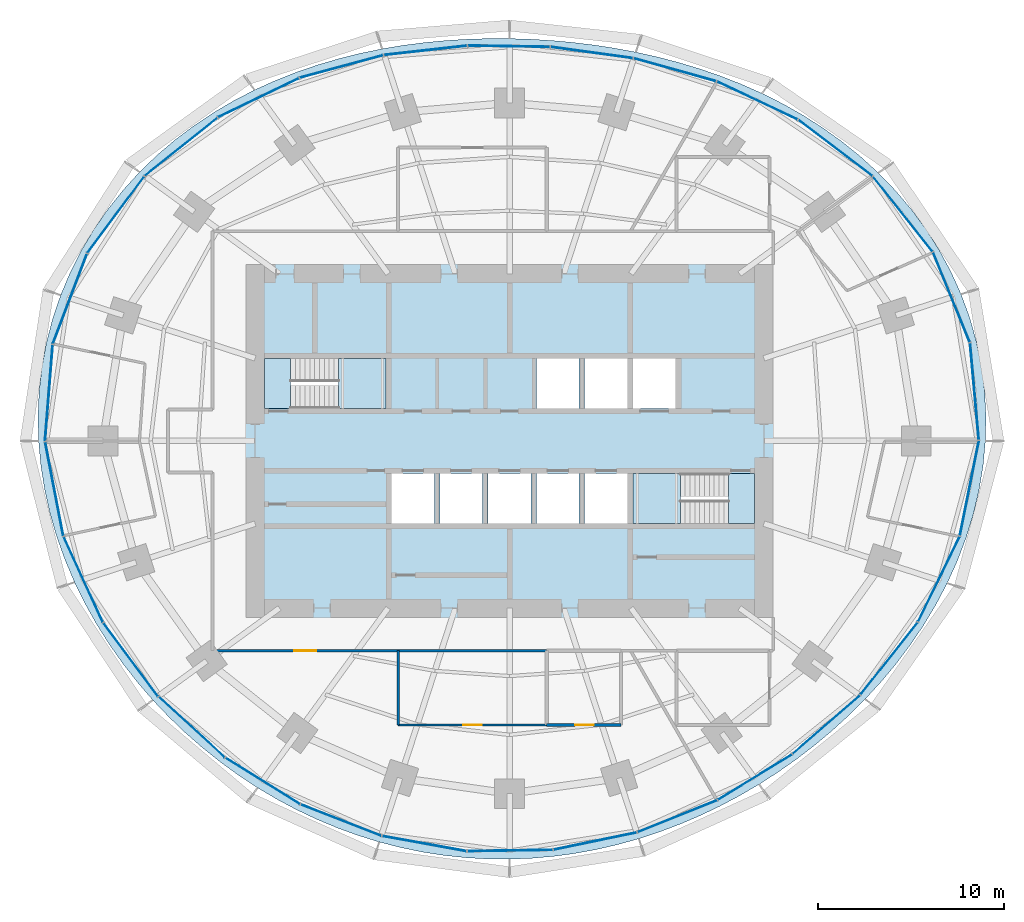
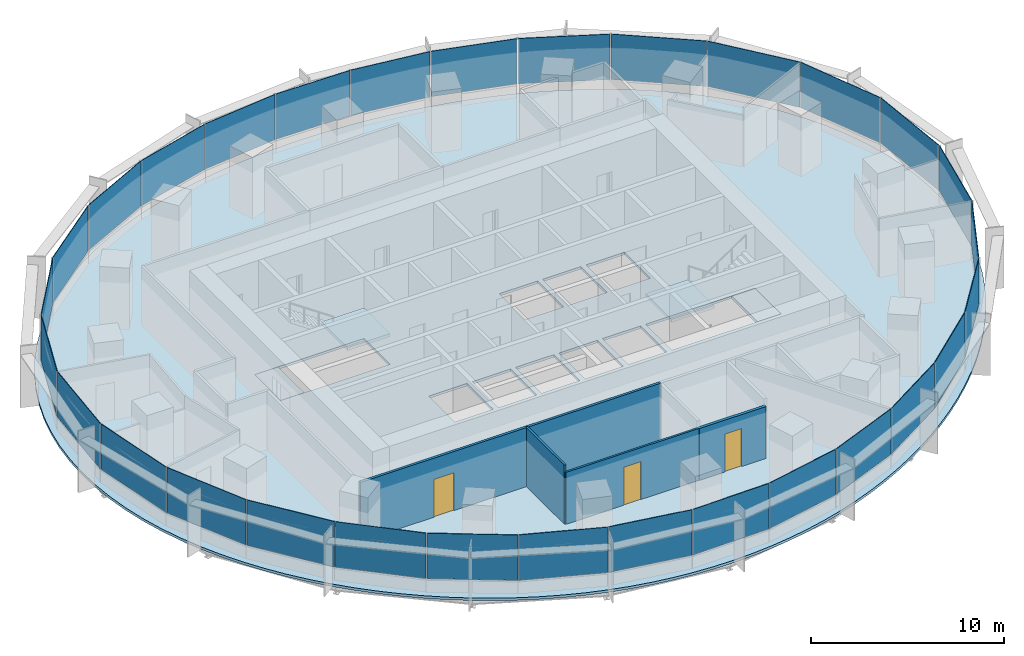
# One storey, part 9 of 14: 30 plates, 5 slabs, 4 walls, 3 doors, 3 openings, 8 elements without a shape of their own.
"""IFC4 building model written with IfcOpenShell, lengths in metres."""

from ifc_helpers import new_model, si_unit, direction, frame, frame_2d, origin, origin_2d, place, context, subcontext, project, spatial, polyline, rectangle, outline, extrude, material, layer, layer_set, type_object, element, fill, aggregate, save


model = new_model("IFC4")

# Units and contexts
model_context = context("Model", 3, precision=1e-05, world=origin(), true_north=direction((0.0, 1.0)))
body_context = subcontext(model_context, "Body", "Model", "MODEL_VIEW")
ifc_project = project(units=[si_unit("LENGTHUNIT", "METRE"), si_unit("AREAUNIT", "SQUARE_METRE"), si_unit("VOLUMEUNIT", "CUBIC_METRE"), si_unit("PLANEANGLEUNIT", "RADIAN"), si_unit("MASSUNIT", "GRAM", prefix="KILO")], contexts=[model_context])

# Site, building, storey
site_placement = place(None, origin())
site = spatial("IfcSite", under=ifc_project, at=site_placement, CompositionType="ELEMENT")
building_placement = place(site_placement, origin())
building = spatial("IfcBuilding", under=site, at=building_placement, Name="Marramba Exchange Tower", CompositionType="ELEMENT")
storey_placement = place(building_placement, frame((0.0, 0.0, 150.89990234375)))
storey = spatial("IfcBuildingStorey", under=building, at=storey_placement, Name="L36", CompositionType="ELEMENT", Elevation=150.89990234375)

# Slab
ifc_material_1 = material(Name="Concrete N40", Category="concrete")
ifc_layer_1 = layer(ifc_material_1, 0.159912109375)
ifc_layer_set_1 = layer_set([ifc_layer_1], Name="Composite floor slab 160")
slab_type_1 = type_object("IfcSlabType", Name="Composite floor slab 160", PredefinedType="FLOOR", material=ifc_layer_set_1)
slab_1_placement = place(storey_placement, frame((0.0, 0.0, -0.159912109375)))
element("IfcSlab", 1, at=slab_1_placement, inside=storey, type_object=slab_type_1, Name="Floor slab L36", PredefinedType="FLOOR", context=body_context, shape_type="SweptSolid", body=[
    extrude(outline(polyline([(25.632080078125, 0.0), (25.66064453125, 1.3447265625), (25.59033203125, 2.689697265625), (25.420166015625, 4.026123046875), (25.15087890625, 5.345947265625), (24.7841796875, 6.640869140625), (24.322998046875, 7.903076171875), (23.771484375, 9.125), (23.135009765625, 10.30029296875), (22.419677734375, 11.42333984375), (21.632080078125, 12.4892578125), (20.779541015625, 13.494384765625), (19.869384765625, 14.43603515625), (18.9091796875, 15.3125), (17.90625, 16.122802734375), (16.86767578125, 16.86767578125), (15.800048828125, 17.5478515625), (14.70947265625, 18.164794921875), (13.6015625, 18.720947265625), (12.48095703125, 19.218994140625), (11.3515625, 19.66162109375), (10.217041015625, 20.05224609375), (9.079833984375, 20.393798828125), (7.94189453125, 20.689453125), (6.804443359375, 20.942138671875), (5.668212890625, 21.154296875), (4.533447265625, 21.328369140625), (3.39990234375, 21.46630859375), (2.26708984375, 21.5693359375), (1.134033203125, 21.63818359375), (0.0, 21.673095703125), (-1.135986328125, 21.673828125), (-2.2744140625, 21.6396484375), (-3.416259765625, 21.5693359375), (-4.5615234375, 21.460693359375), (-5.71044921875, 21.31201171875), (-6.8623046875, 21.1201171875), (-8.01611328125, 20.8828125), (-9.170166015625, 20.5966796875), (-10.322509765625, 20.2587890625), (-11.4697265625, 19.8662109375), (-12.60888671875, 19.415771484375), (-13.7353515625, 18.905029296875), (-14.8447265625, 18.331787109375), (-15.931640625, 17.69384765625), (-16.989990234375, 16.989990234375), (-18.013916015625, 16.2197265625), (-18.996826171875, 15.38330078125), (-19.931884765625, 14.4814453125), (-20.8125, 13.515869140625), (-21.632080078125, 12.4892578125), (-22.384033203125, 11.4052734375), (-23.0625, 10.26806640625), (-23.661865234375, 9.0830078125), (-24.177734375, 7.855712890625), (-24.605712890625, 6.593017578125), (-24.943603515625, 5.302001953125), (-25.18896484375, 3.989501953125), (-25.341064453125, 2.663330078125), (-25.400390625, 1.3310546875), (-25.367919921875, 0.0), (-25.246337890625, -1.322998046875), (-25.038818359375, -2.631591796875), (-24.748779296875, -3.919921875), (-24.381103515625, -5.182373046875), (-23.940185546875, -6.414794921875), (-23.431396484375, -7.61328125), (-22.859130859375, -8.77490234375), (-22.22900390625, -9.89697265625), (-21.545166015625, -10.977783203125), (-20.81201171875, -12.015869140625), (-20.033935546875, -13.010009765625), (-19.2138671875, -13.959716796875), (-18.35546875, -14.86376953125), (-17.461181640625, -15.72216796875), (-16.53369140625, -16.53369140625), (-15.5751953125, -17.298095703125), (-14.587646484375, -18.014404296875), (-13.5732421875, -18.681884765625), (-12.533203125, -19.299560546875), (-11.4697265625, -19.8662109375), (-10.384765625, -20.381103515625), (-9.27978515625, -20.8427734375), (-8.157470703125, -21.250732421875), (-7.019287109375, -21.603271484375), (-5.8681640625, -21.900146484375), (-4.7060546875, -22.14013671875), (-3.53564453125, -22.322998046875), (-2.359375, -22.448486328125), (-1.179931640625, -22.516357421875), (0.0, -22.52685546875), (1.17822265625, -22.480712890625), (2.35205078125, -22.3779296875), (3.519287109375, -22.22021484375), (4.677978515625, -22.0078125), (5.825927734375, -21.742431640625), (6.96142578125, -21.425048828125), (8.0830078125, -21.05712890625), (9.189453125, -20.639892578125), (10.279296875, -20.17431640625), (11.3515625, -19.66162109375), (12.4052734375, -19.1025390625), (13.439453125, -18.497802734375), (14.45263671875, -17.847412109375), (15.44384765625, -17.152099609375), (16.411376953125, -16.411376953125), (17.353515625, -15.625244140625), (18.267822265625, -14.79296875), (19.1513671875, -13.914306640625), (20.000732421875, -12.98876953125), (20.81201171875, -12.015869140625), (21.580810546875, -10.995849609375), (22.301513671875, -9.92919921875), (22.96875, -8.81689453125), (23.57666015625, -7.660400390625), (24.11865234375, -6.462646484375), (24.588623046875, -5.2265625), (24.980224609375, -3.95654296875), (25.2880859375, -2.657958984375), (25.5068359375, -1.336669921875), (25.632080078125, 0.0)]), holes=[polyline([(1.449951171875, 1.75), (3.75, 1.75), (3.75, 4.449951171875), (1.449951171875, 4.449951171875), (1.449951171875, 1.75)]), polyline([(4.050048828125, 1.75), (6.35009765625, 1.75), (6.35009765625, 4.449951171875), (4.050048828125, 4.449951171875), (4.050048828125, 1.75)]), polyline([(-6.35009765625, -4.449951171875), (-4.050048828125, -4.449951171875), (-4.050048828125, -1.75), (-6.35009765625, -1.75), (-6.35009765625, -4.449951171875)]), polyline([(-3.75, -4.449951171875), (-1.449951171875, -4.449951171875), (-1.449951171875, -1.75), (-3.75, -1.75), (-3.75, -4.449951171875)]), polyline([(-1.14990234375, -4.449951171875), (1.14990234375, -4.449951171875), (1.14990234375, -1.75), (-1.14990234375, -1.75), (-1.14990234375, -4.449951171875)]), polyline([(1.449951171875, -4.449951171875), (3.75, -4.449951171875), (3.75, -1.75), (1.449951171875, -1.75), (1.449951171875, -4.449951171875)]), polyline([(4.050048828125, -4.449951171875), (6.35009765625, -4.449951171875), (6.35009765625, -1.75), (4.050048828125, -1.75), (4.050048828125, -4.449951171875)]), polyline([(6.64990234375, 1.75), (8.949951171875, 1.75), (8.949951171875, 4.449951171875), (6.64990234375, 4.449951171875), (6.64990234375, 1.75)]), polyline([(-13.199951171875, 1.75), (-6.64990234375, 1.75), (-6.64990234375, 4.449951171875), (-13.199951171875, 4.449951171875), (-13.199951171875, 1.75)]), polyline([(6.64990234375, -4.449951171875), (13.199951171875, -4.449951171875), (13.199951171875, -1.75), (6.64990234375, -1.75), (6.64990234375, -4.449951171875)])]), origin(), (0.0, 0.0, 1.0), 0.159912109375),
])

# Curtain wall, plates
ifc_material_2 = material(Name="Aluminium framing, bronze anodised", Category="aluminium")
curtain_wall_type = type_object("IfcCurtainWallType", Name="Office ribbon curtain wall", PredefinedType="USERDEFINED", material=ifc_material_2)
curtain_wall_1_placement = place(storey_placement, origin())
curtain_wall_1 = element("IfcCurtainWall", 2, at=curtain_wall_1_placement, inside=storey, type_object=curtain_wall_type, Name="Curtain wall CW4 L36 F01-F05", ObjectType="RIBBON CURTAIN WALL", PredefinedType="USERDEFINED")
ifc_material_3 = material(Name="Laminated double glazed unit 10.76 + 16 + 10.76, bronze tinted", Category="glass")
ifc_layer_2 = layer(ifc_material_3, 0.03759765625)
ifc_layer_set_2 = layer_set([ifc_layer_2], Name="Office ribbon curtain wall panel")
plate_type = type_object("IfcPlateType", Name="Office ribbon curtain wall panel", PredefinedType="CURTAIN_PANEL", material=ifc_layer_set_2)
plate_1_placement = place(storey_placement, frame((25.042724609375, 2.66650390625, 0.860107421875), z_axis=(0.0, 0.0, 1.0), x_axis=(-0.089412887889, 0.995994646311, 0.0)))
plate_1 = element("IfcPlate", 3, at=plate_1_placement, type_object=plate_type, Name="CW4 vision panel", PredefinedType="CURTAIN_PANEL", context=body_context, shape_type="SweptSolid", body=[
    extrude(rectangle(XDim=5.234375, YDim=0.03759765625, at=origin_2d()), origin(), (0.0, 0.0, 1.0), 2.8798828125),
])
plate_2_placement = place(storey_placement, frame((23.800537109375, 7.743408203125, 0.860107421875), z_axis=(0.0, 0.0, 1.0), x_axis=(-0.377821183171, 0.925878584668, 0.0)))
plate_2 = element("IfcPlate", 4, at=plate_2_placement, type_object=plate_type, Name="CW4 vision panel", PredefinedType="CURTAIN_PANEL", context=body_context, shape_type="SweptSolid", body=[
    extrude(rectangle(XDim=5.2158203125, YDim=0.03759765625, at=origin_2d()), origin(), (0.0, 0.0, 1.0), 2.8798828125),
])
plate_3_placement = place(storey_placement, frame((21.18212890625, 12.217529296875, 0.860107421875), z_axis=(0.0, 0.0, 1.0), x_axis=(-0.621312004611, 0.783563266703, 0.0)))
plate_3 = element("IfcPlate", 5, at=plate_3_placement, type_object=plate_type, Name="CW4 vision panel", PredefinedType="CURTAIN_PANEL", context=body_context, shape_type="SweptSolid", body=[
    extrude(rectangle(XDim=5.136962890625, YDim=0.03759765625, at=origin_2d()), origin(), (0.0, 0.0, 1.0), 2.8798828125),
])
plate_4_placement = place(storey_placement, frame((17.55224609375, 15.777099609375, 0.860107421875), z_axis=(0.0, 0.0, 1.0), x_axis=(-0.795971748366, 0.60533377223, 0.0)))
plate_4 = element("IfcPlate", 6, at=plate_4_placement, type_object=plate_type, Name="CW4 vision panel", PredefinedType="CURTAIN_PANEL", context=body_context, shape_type="SweptSolid", body=[
    extrude(rectangle(XDim=4.990966796875, YDim=0.03759765625, at=origin_2d()), origin(), (0.0, 0.0, 1.0), 2.8798828125),
])
plate_5_placement = place(storey_placement, frame((13.34423828125, 18.3359375, 0.860107421875), z_axis=(0.0, 0.0, 1.0), x_axis=(-0.904403137485, 0.426678995157, 0.0)))
plate_5 = element("IfcPlate", 7, at=plate_5_placement, type_object=plate_type, Name="CW4 vision panel", PredefinedType="CURTAIN_PANEL", context=body_context, shape_type="SweptSolid", body=[
    extrude(rectangle(XDim=4.793212890625, YDim=0.03759765625, at=origin_2d()), origin(), (0.0, 0.0, 1.0), 2.8798828125),
])
aggregate(curtain_wall_1, [plate_1, plate_2, plate_3, plate_4, plate_5])

curtain_wall_2_placement = place(storey_placement, origin())
curtain_wall_2 = element("IfcCurtainWall", 8, at=curtain_wall_2_placement, inside=storey, type_object=curtain_wall_type, Name="Curtain wall CW4 L36 F06-F10", ObjectType="RIBBON CURTAIN WALL", PredefinedType="USERDEFINED")
plate_6_placement = place(storey_placement, frame((8.907470703125, 19.991943359375, 0.860107421875), z_axis=(0.0, 0.0, 1.0), x_axis=(-0.963177845956, 0.268865090816, 0.0)))
plate_6 = element("IfcPlate", 9, at=plate_6_placement, type_object=plate_type, Name="CW4 vision panel", PredefinedType="CURTAIN_PANEL", context=body_context, shape_type="SweptSolid", body=[
    extrude(rectangle(XDim=4.591552734375, YDim=0.03759765625, at=origin_2d()), origin(), (0.0, 0.0, 1.0), 2.8798828125),
])
plate_7_placement = place(storey_placement, frame((4.43359375, 20.919189453125, 0.860107421875), z_axis=(0.0, 0.0, 1.0), x_axis=(-0.990738212841, 0.135785837319, 0.0)))
plate_7 = element("IfcPlate", 10, at=plate_7_placement, type_object=plate_type, Name="CW4 vision panel", PredefinedType="CURTAIN_PANEL", context=body_context, shape_type="SweptSolid", body=[
    extrude(rectangle(XDim=4.447509765625, YDim=0.03759765625, at=origin_2d()), origin(), (0.0, 0.0, 1.0), 2.8798828125),
])
plate_8_placement = place(storey_placement, frame((-0.03369140625, 21.2568359375, 0.860107421875), z_axis=(0.0, 0.0, 1.0), x_axis=(-0.999875869968, 0.01575578169, 0.0)))
plate_8 = element("IfcPlate", 11, at=plate_8_placement, type_object=plate_type, Name="CW4 vision panel", PredefinedType="CURTAIN_PANEL", context=body_context, shape_type="SweptSolid", body=[
    extrude(rectangle(XDim=4.408935546875, YDim=0.03759765625, at=origin_2d()), origin(), (0.0, 0.0, 1.0), 2.8798828125),
])
plate_9_placement = place(storey_placement, frame((-4.52587890625, 21.0361328125, 0.860107421875), z_axis=(0.0, 0.0, 1.0), x_axis=(-0.993823395532, -0.110973233233, 0.0)))
plate_9 = element("IfcPlate", 12, at=plate_9_placement, type_object=plate_type, Name="CW4 vision panel", PredefinedType="CURTAIN_PANEL", context=body_context, shape_type="SweptSolid", body=[
    extrude(rectangle(XDim=4.484375, YDim=0.03759765625, at=origin_2d()), origin(), (0.0, 0.0, 1.0), 2.8798828125),
])
plate_10_placement = place(storey_placement, frame((-9.053466796875, 20.16748046875, 0.860107421875), z_axis=(0.0, 0.0, 1.0), x_axis=(-0.965522047176, -0.260321294588, 0.0)))
plate_10 = element("IfcPlate", 13, at=plate_10_placement, type_object=plate_type, Name="CW4 vision panel", PredefinedType="CURTAIN_PANEL", context=body_context, shape_type="SweptSolid", body=[
    extrude(rectangle(XDim=4.642578125, YDim=0.03759765625, at=origin_2d()), origin(), (0.0, 0.0, 1.0), 2.8798828125),
])
aggregate(curtain_wall_2, [plate_6, plate_7, plate_8, plate_9, plate_10])

curtain_wall_3_placement = place(storey_placement, origin())
curtain_wall_3 = element("IfcCurtainWall", 14, at=curtain_wall_3_placement, inside=storey, type_object=curtain_wall_type, Name="Curtain wall CW4 L36 F11-F15", ObjectType="RIBBON CURTAIN WALL", PredefinedType="USERDEFINED")
plate_11_placement = place(storey_placement, frame((-13.52294921875, 18.4853515625, 0.860107421875), z_axis=(0.0, 0.0, 1.0), x_axis=(-0.900223739881, -0.435427626771, 0.0)))
plate_11 = element("IfcPlate", 15, at=plate_11_placement, type_object=plate_type, Name="CW4 vision panel", PredefinedType="CURTAIN_PANEL", context=body_context, shape_type="SweptSolid", body=[
    extrude(rectangle(XDim=4.83056640625, YDim=0.03759765625, at=origin_2d()), origin(), (0.0, 0.0, 1.0), 2.8798828125),
])
plate_12_placement = place(storey_placement, frame((-17.696533203125, 15.8359375, 0.860107421875), z_axis=(0.0, 0.0, 1.0), x_axis=(-0.78117833008, -0.624307950145, 0.0)))
plate_12 = element("IfcPlate", 16, at=plate_12_placement, type_object=plate_type, Name="CW4 vision panel", PredefinedType="CURTAIN_PANEL", context=body_context, shape_type="SweptSolid", body=[
    extrude(rectangle(XDim=4.998291015625, YDim=0.03759765625, at=origin_2d()), origin(), (0.0, 0.0, 1.0), 2.8798828125),
])
plate_13_placement = place(storey_placement, frame((-21.213623046875, 12.1767578125, 0.860107421875), z_axis=(0.0, 0.0, 1.0), x_axis=(-0.597703997504, -0.80171686484, 0.0)))
plate_13 = element("IfcPlate", 17, at=plate_13_placement, type_object=plate_type, Name="CW4 vision panel", PredefinedType="CURTAIN_PANEL", context=body_context, shape_type="SweptSolid", body=[
    extrude(rectangle(XDim=5.116455078125, YDim=0.03759765625, at=origin_2d()), origin(), (0.0, 0.0, 1.0), 2.8798828125),
])
plate_14_placement = place(storey_placement, frame((-23.6826171875, 7.6494140625, 0.860107421875), z_axis=(0.0, 0.0, 1.0), x_axis=(-0.354844468484, -0.934925346317, 0.0)))
plate_14 = element("IfcPlate", 18, at=plate_14_placement, type_object=plate_type, Name="CW4 vision panel", PredefinedType="CURTAIN_PANEL", context=body_context, shape_type="SweptSolid", body=[
    extrude(rectangle(XDim=5.177490234375, YDim=0.03759765625, at=origin_2d()), origin(), (0.0, 0.0, 1.0), 2.8798828125),
])
plate_15_placement = place(storey_placement, frame((-24.81201171875, 2.584716796875, 0.860107421875), z_axis=(0.0, 0.0, 1.0), x_axis=(-0.079459696383, -0.996838079455, 0.0)))
plate_15 = element("IfcPlate", 19, at=plate_15_placement, type_object=plate_type, Name="CW4 vision panel", PredefinedType="CURTAIN_PANEL", context=body_context, shape_type="SweptSolid", body=[
    extrude(rectangle(XDim=5.185791015625, YDim=0.03759765625, at=origin_2d()), origin(), (0.0, 0.0, 1.0), 2.8798828125),
])
aggregate(curtain_wall_3, [plate_11, plate_12, plate_13, plate_14, plate_15])

curtain_wall_4_placement = place(storey_placement, origin())
curtain_wall_4 = element("IfcCurtainWall", 20, at=curtain_wall_4_placement, inside=storey, type_object=curtain_wall_type, Name="Curtain wall CW4 L36 F16-F20", ObjectType="RIBBON CURTAIN WALL", PredefinedType="USERDEFINED")
plate_16_placement = place(storey_placement, frame((-24.522705078125, -2.584228515625, 0.860107421875), z_axis=(0.0, 0.0, 1.0), x_axis=(0.18822721487, -0.982125509078, 0.0)))
plate_16 = element("IfcPlate", 21, at=plate_16_placement, type_object=plate_type, Name="CW4 vision panel", PredefinedType="CURTAIN_PANEL", context=body_context, shape_type="SweptSolid", body=[
    extrude(rectangle(XDim=5.142578125, YDim=0.03759765625, at=origin_2d()), origin(), (0.0, 0.0, 1.0), 2.8798828125),
])
plate_17_placement = place(storey_placement, frame((-22.96142578125, -7.45947265625, 0.860107421875), z_axis=(0.0, 0.0, 1.0), x_axis=(0.416737848929, -0.909026713177, 0.0)))
plate_17 = element("IfcPlate", 22, at=plate_17_placement, type_object=plate_type, Name="CW4 vision panel", PredefinedType="CURTAIN_PANEL", context=body_context, shape_type="SweptSolid", body=[
    extrude(rectangle(XDim=5.0498046875, YDim=0.03759765625, at=origin_2d()), origin(), (0.0, 0.0, 1.0), 2.8798828125),
])
plate_18_placement = place(storey_placement, frame((-20.402099609375, -11.7783203125, 0.860107421875), z_axis=(0.0, 0.0, 1.0), x_axis=(0.597304697033, -0.802014400683, 0.0)))
plate_18 = element("IfcPlate", 23, at=plate_18_placement, type_object=plate_type, Name="CW4 vision panel", PredefinedType="CURTAIN_PANEL", context=body_context, shape_type="SweptSolid", body=[
    extrude(rectangle(XDim=4.926513671875, YDim=0.03759765625, at=origin_2d()), origin(), (0.0, 0.0, 1.0), 2.8798828125),
])
plate_19_placement = place(storey_placement, frame((-17.11376953125, -15.416259765625, 0.860107421875), z_axis=(0.0, 0.0, 1.0), x_axis=(0.737821886077, -0.674995455115, 0.0)))
plate_19 = element("IfcPlate", 24, at=plate_19_placement, type_object=plate_type, Name="CW4 vision panel", PredefinedType="CURTAIN_PANEL", context=body_context, shape_type="SweptSolid", body=[
    extrude(rectangle(XDim=4.80517578125, YDim=0.03759765625, at=origin_2d()), origin(), (0.0, 0.0, 1.0), 2.8798828125),
])
plate_20_placement = place(storey_placement, frame((-13.29248046875, -18.31640625, 0.860107421875), z_axis=(0.0, 0.0, 1.0), x_axis=(0.84835459748, -0.52942844364, 0.0)))
plate_20 = element("IfcPlate", 25, at=plate_20_placement, type_object=plate_type, Name="CW4 vision panel", PredefinedType="CURTAIN_PANEL", context=body_context, shape_type="SweptSolid", body=[
    extrude(rectangle(XDim=4.70947265625, YDim=0.03759765625, at=origin_2d()), origin(), (0.0, 0.0, 1.0), 2.8798828125),
])
aggregate(curtain_wall_4, [plate_16, plate_17, plate_18, plate_19, plate_20])

curtain_wall_5_placement = place(storey_placement, origin())
curtain_wall_5 = element("IfcCurtainWall", 26, at=curtain_wall_5_placement, inside=storey, type_object=curtain_wall_type, Name="Curtain wall CW4 L36 F21-F25", ObjectType="RIBBON CURTAIN WALL", PredefinedType="USERDEFINED")
plate_21_placement = place(storey_placement, frame((-9.074951171875, -20.427734375, 0.860107421875), z_axis=(0.0, 0.0, 1.0), x_axis=(0.931818390344, -0.36292490603, 0.0)))
plate_21 = element("IfcPlate", 27, at=plate_21_placement, type_object=plate_type, Name="CW4 vision panel", PredefinedType="CURTAIN_PANEL", context=body_context, shape_type="SweptSolid", body=[
    extrude(rectangle(XDim=4.644287109375, YDim=0.03759765625, at=origin_2d()), origin(), (0.0, 0.0, 1.0), 2.8798828125),
])
plate_22_placement = place(storey_placement, frame((-4.58740234375, -21.690673828125, 0.860107421875), z_axis=(0.0, 0.0, 1.0), x_axis=(0.984031865834, -0.177992379115, 0.0)))
plate_22 = element("IfcPlate", 28, at=plate_22_placement, type_object=plate_type, Name="CW4 vision panel", PredefinedType="CURTAIN_PANEL", context=body_context, shape_type="SweptSolid", body=[
    extrude(rectangle(XDim=4.602783203125, YDim=0.03759765625, at=origin_2d()), origin(), (0.0, 0.0, 1.0), 2.8798828125),
])
plate_23_placement = place(storey_placement, frame((0.0263671875, -22.064697265625, 0.860107421875), z_axis=(0.0, 0.0, 1.0), x_axis=(0.999884797709, 0.015178646521, 0.0)))
plate_23 = element("IfcPlate", 29, at=plate_23_placement, type_object=plate_type, Name="CW4 vision panel", PredefinedType="CURTAIN_PANEL", context=body_context, shape_type="SweptSolid", body=[
    extrude(rectangle(XDim=4.578857421875, YDim=0.03759765625, at=origin_2d()), origin(), (0.0, 0.0, 1.0), 2.8798828125),
])
plate_24_placement = place(storey_placement, frame((4.61376953125, -21.554931640625, 0.860107421875), z_axis=(0.0, 0.0, 1.0), x_axis=(0.979310199794, 0.202364850159, 0.0)))
plate_24 = element("IfcPlate", 30, at=plate_24_placement, type_object=plate_type, Name="CW4 vision panel", PredefinedType="CURTAIN_PANEL", context=body_context, shape_type="SweptSolid", body=[
    extrude(rectangle(XDim=4.57373046875, YDim=0.03759765625, at=origin_2d()), origin(), (0.0, 0.0, 1.0), 2.8798828125),
])
plate_25_placement = place(storey_placement, frame((9.042724609375, -20.214111328125, 0.860107421875), z_axis=(0.0, 0.0, 1.0), x_axis=(0.928148916059, 0.372209067082, 0.0)))
plate_25 = element("IfcPlate", 31, at=plate_25_placement, type_object=plate_type, Name="CW4 vision panel", PredefinedType="CURTAIN_PANEL", context=body_context, shape_type="SweptSolid", body=[
    extrude(rectangle(XDim=4.59814453125, YDim=0.03759765625, at=origin_2d()), origin(), (0.0, 0.0, 1.0), 2.8798828125),
])
aggregate(curtain_wall_5, [plate_21, plate_22, plate_23, plate_24, plate_25])

curtain_wall_6_placement = place(storey_placement, origin())
curtain_wall_6 = element("IfcCurtainWall", 32, at=curtain_wall_6_placement, inside=storey, type_object=curtain_wall_type, Name="Curtain wall CW4 L36 F26-F30", ObjectType="RIBBON CURTAIN WALL", PredefinedType="USERDEFINED")
plate_26_placement = place(storey_placement, frame((13.21875, -18.109619140625, 0.860107421875), z_axis=(0.0, 0.0, 1.0), x_axis=(0.853109114492, 0.521732535664, 0.0)))
plate_26 = element("IfcPlate", 33, at=plate_26_placement, type_object=plate_type, Name="CW4 vision panel", PredefinedType="CURTAIN_PANEL", context=body_context, shape_type="SweptSolid", body=[
    extrude(rectangle(XDim=4.66748046875, YDim=0.03759765625, at=origin_2d()), origin(), (0.0, 0.0, 1.0), 2.8798828125),
])
plate_27_placement = place(storey_placement, frame((17.0615234375, -15.280517578125, 0.860107421875), z_axis=(0.0, 0.0, 1.0), x_axis=(0.754385506384, 0.656431647438, 0.0)))
plate_27 = element("IfcPlate", 34, at=plate_27_placement, type_object=plate_type, Name="CW4 vision panel", PredefinedType="CURTAIN_PANEL", context=body_context, shape_type="SweptSolid", body=[
    extrude(rectangle(XDim=4.789794921875, YDim=0.03759765625, at=origin_2d()), origin(), (0.0, 0.0, 1.0), 2.8798828125),
])
plate_28_placement = place(storey_placement, frame((20.443603515625, -11.724365234375, 0.860107421875), z_axis=(0.0, 0.0, 1.0), x_axis=(0.621807472329, 0.783170139469, 0.0)))
plate_28 = element("IfcPlate", 35, at=plate_28_placement, type_object=plate_type, Name="CW4 vision panel", PredefinedType="CURTAIN_PANEL", context=body_context, shape_type="SweptSolid", body=[
    extrude(rectangle(XDim=4.947265625, YDim=0.03759765625, at=origin_2d()), origin(), (0.0, 0.0, 1.0), 2.8798828125),
])
plate_29_placement = place(storey_placement, frame((23.127197265625, -7.443359375, 0.860107421875), z_axis=(0.0, 0.0, 1.0), x_axis=(0.439086342308, 0.89844486976, 0.0)))
plate_29 = element("IfcPlate", 36, at=plate_29_placement, type_object=plate_type, Name="CW4 vision panel", PredefinedType="CURTAIN_PANEL", context=body_context, shape_type="SweptSolid", body=[
    extrude(rectangle(XDim=5.096923828125, YDim=0.03759765625, at=origin_2d()), origin(), (0.0, 0.0, 1.0), 2.8798828125),
])
plate_30_placement = place(storey_placement, frame((24.77001953125, -2.54736328125, 0.860107421875), z_axis=(0.0, 0.0, 1.0), x_axis=(0.197048511267, 0.980393739376, 0.0)))
plate_30 = element("IfcPlate", 37, at=plate_30_placement, type_object=plate_type, Name="CW4 vision panel", PredefinedType="CURTAIN_PANEL", context=body_context, shape_type="SweptSolid", body=[
    extrude(rectangle(XDim=5.19677734375, YDim=0.03759765625, at=origin_2d()), origin(), (0.0, 0.0, 1.0), 2.8798828125),
])
aggregate(curtain_wall_6, [plate_26, plate_27, plate_28, plate_29, plate_30])

# Stair, slabs
ifc_material_4 = material(Name="Concrete N40 (40 MPa)", Category="concrete")
stair_type_1 = type_object("IfcStairType", Name="Exit stair ST1 3900 x 1250", PredefinedType="HALF_TURN_STAIR", material=ifc_material_4)
stair_1_placement = place(storey_placement, origin())
stair_1 = element("IfcStair", 38, at=stair_1_placement, inside=storey, type_object=stair_type_1, Name="Exit stair ST1 L36", PredefinedType="HALF_TURN_STAIR")
ifc_layer_3 = layer(ifc_material_4, 0.199951171875)
ifc_layer_set_3 = layer_set([ifc_layer_3], Name="Stair landing 200")
slab_type_2 = type_object("IfcSlabType", Name="Stair landing 200", PredefinedType="LANDING", material=ifc_layer_set_3)
slab_2_placement = place(storey_placement, frame((0.0, 0.0, -0.199951171875)))
slab_2 = element("IfcSlab", 39, at=slab_2_placement, type_object=slab_type_2, Name="ST1 landing 1", PredefinedType="LANDING", context=body_context, shape_type="SweptSolid", body=[
    extrude(outline(polyline([(-13.199951171875, 1.75), (-11.800048828125, 1.75), (-11.800048828125, 4.449951171875), (-13.199951171875, 4.449951171875), (-13.199951171875, 1.75)])), origin(), (0.0, 0.0, 1.0), 0.199951171875),
])
slab_3_placement = place(storey_placement, frame((0.0, 0.0, 1.75)))
slab_3 = element("IfcSlab", 40, at=slab_3_placement, type_object=slab_type_2, Name="ST1 landing 2", PredefinedType="LANDING", context=body_context, shape_type="SweptSolid", body=[
    extrude(outline(polyline([(-9.199951171875, 1.75), (-6.64990234375, 1.75), (-6.64990234375, 4.449951171875), (-9.199951171875, 4.449951171875), (-9.199951171875, 1.75)])), origin(), (0.0, 0.0, 1.0), 0.2001953125),
])
aggregate(stair_1, [slab_2, slab_3])

stair_type_2 = type_object("IfcStairType", Name="Exit stair ST2 3900 x 1250", PredefinedType="HALF_TURN_STAIR", material=ifc_material_4)
stair_2_placement = place(storey_placement, origin())
stair_2 = element("IfcStair", 41, at=stair_2_placement, inside=storey, type_object=stair_type_2, Name="Exit stair ST2 L36", PredefinedType="HALF_TURN_STAIR")
slab_4_placement = place(storey_placement, frame((0.0, 0.0, -0.199951171875)))
slab_4 = element("IfcSlab", 42, at=slab_4_placement, type_object=slab_type_2, Name="ST2 landing 1", PredefinedType="LANDING", context=body_context, shape_type="SweptSolid", body=[
    extrude(outline(polyline([(11.800048828125, -4.449951171875), (13.199951171875, -4.449951171875), (13.199951171875, -1.75), (11.800048828125, -1.75), (11.800048828125, -4.449951171875)])), origin(), (0.0, 0.0, 1.0), 0.199951171875),
])
slab_5_placement = place(storey_placement, frame((0.0, 0.0, 1.75)))
slab_5 = element("IfcSlab", 43, at=slab_5_placement, type_object=slab_type_2, Name="ST2 landing 2", PredefinedType="LANDING", context=body_context, shape_type="SweptSolid", body=[
    extrude(outline(polyline([(6.64990234375, -4.449951171875), (9.199951171875, -4.449951171875), (9.199951171875, -1.75), (6.64990234375, -1.75), (6.64990234375, -4.449951171875)])), origin(), (0.0, 0.0, 1.0), 0.2001953125),
])
aggregate(stair_2, [slab_4, slab_5])

# Wall, opening, door
ifc_material_5 = material(Name="Plasterboard on staggered double steel studs, acoustic insulation", Category="steel")
ifc_layer_4 = layer(ifc_material_5, 0.169921875)
ifc_layer_set_4 = layer_set([ifc_layer_4], Name="Acoustic partition 170")
wall_type_1 = type_object("IfcWallType", Name="Acoustic partition 170", PredefinedType="PARTITIONING", material=ifc_layer_set_4)
wall_1_placement = place(storey_placement, frame((2.0, -15.300048828125, 0.0), z_axis=(0.0, 0.0, 1.0), x_axis=(1.0, 0.0, 0.0)))
wall_1 = element("IfcWall", 44, at=wall_1_placement, inside=storey, type_object=wall_type_1, Name="Acoustic partition L36 09", PredefinedType="PARTITIONING", context=body_context, shape_type="SweptSolid", body=[
    extrude(rectangle(XDim=4.0, YDim=0.169921875, at=frame_2d((2.0, 0.0))), origin(), (0.0, 0.0, 1.0), 3.2861328125),
])
opening_1_placement = place(wall_1_placement, frame((1.52587890625, 0.0, 0.0)))
opening_1 = element("IfcOpeningElement", 45, at=opening_1_placement, cuts=wall_1, Name="Opening D9", PredefinedType="OPENING", context=body_context, shape_type="SweptSolid", body=[
    extrude(rectangle(XDim=1.0, YDim=2.39990234375, at=frame_2d((0.5, 1.199951171875))), frame((0.0, 0.094970703125, 0.0), z_axis=(0.0, -1.0, 0.0), x_axis=(1.0, 0.0, 0.0)), (0.0, 0.0, 1.0), 0.18994140625),
])
ifc_material_6 = material(Name="Timber door", Category="wood")
door_type_1 = type_object("IfcDoorType", Name="Room door 1000x2400", OperationType="SINGLE_SWING_LEFT", PredefinedType="DOOR", material=ifc_material_6)
door_1_placement = place(opening_1_placement, origin())
door_1 = element("IfcDoor", 46, at=door_1_placement, inside=storey, type_object=door_type_1, Name="D9 Interview Room L36", OperationType="SINGLE_SWING_RIGHT", OverallHeight=2.39990234375, OverallWidth=1.0, PredefinedType="DOOR", context=body_context, shape_type="SweptSolid", body=[
    extrude(rectangle(XDim=1.0, YDim=2.39990234375, at=frame_2d((0.5, 1.199951171875))), frame((0.0, 0.02490234375, 0.0), z_axis=(0.0, -1.0, 0.0), x_axis=(1.0, 0.0, 0.0)), (0.0, 0.0, 1.0), 0.050048828125),
])
fill(opening_1, door_1)

# Wall
ifc_material_7 = material(Name="Plasterboard on steel studs", Category="steel")
ifc_layer_5 = layer(ifc_material_7, 0.1201171875)
ifc_layer_set_5 = layer_set([ifc_layer_5], Name="Partition 120")
wall_type_2 = type_object("IfcWallType", Name="Partition 120", PredefinedType="PARTITIONING", material=ifc_layer_set_5)
wall_2_placement = place(storey_placement, frame((-6.0, -11.300048828125, 0.0), z_axis=(0.0, 0.0, 1.0), x_axis=(0.0, -1.0, 0.0)))
element("IfcWall", 47, at=wall_2_placement, inside=storey, type_object=wall_type_2, Name="Partition L36 06", PredefinedType="PARTITIONING", context=body_context, shape_type="SweptSolid", body=[
    extrude(rectangle(XDim=4.0, YDim=0.1201171875, at=frame_2d((2.0, 0.0))), origin(), (0.0, 0.0, 1.0), 3.739990234375),
])

# Wall, opening, door
wall_3_placement = place(storey_placement, frame((-6.0, -15.300048828125, 0.0), z_axis=(0.0, 0.0, 1.0), x_axis=(1.0, 0.0, 0.0)))
wall_3 = element("IfcWall", 48, at=wall_3_placement, inside=storey, type_object=wall_type_2, Name="Partition L36 07", PredefinedType="PARTITIONING", context=body_context, shape_type="SweptSolid", body=[
    extrude(rectangle(XDim=8.0, YDim=0.1201171875, at=frame_2d((4.0, 0.0))), origin(), (0.0, 0.0, 1.0), 3.2861328125),
])
opening_2_placement = place(wall_3_placement, frame((3.5, 0.0, 0.0)))
opening_2 = element("IfcOpeningElement", 49, at=opening_2_placement, cuts=wall_3, Name="Opening D9", PredefinedType="OPENING", context=body_context, shape_type="SweptSolid", body=[
    extrude(rectangle(XDim=1.0, YDim=2.39990234375, at=frame_2d((0.5, 1.199951171875))), frame((0.0, 0.070068359375, 0.0), z_axis=(0.0, -1.0, 0.0), x_axis=(1.0, 0.0, 0.0)), (0.0, 0.0, 1.0), 0.14013671875),
])
door_2_placement = place(opening_2_placement, origin())
door_2 = element("IfcDoor", 50, at=door_2_placement, inside=storey, type_object=door_type_1, Name="D9 Pantry L36", OperationType="SINGLE_SWING_RIGHT", OverallHeight=2.39990234375, OverallWidth=1.0, PredefinedType="DOOR", context=body_context, shape_type="SweptSolid", body=[
    extrude(rectangle(XDim=1.0, YDim=2.39990234375, at=frame_2d((0.5, 1.199951171875))), frame((0.0, 0.02490234375, 0.0), z_axis=(0.0, -1.0, 0.0), x_axis=(1.0, 0.0, 0.0)), (0.0, 0.0, 1.0), 0.050048828125),
])
fill(opening_2, door_2)

ifc_material_8 = material(Name="Fire-rated plasterboard on steel studs, acoustic insulation", Category="steel")
ifc_layer_6 = layer(ifc_material_8, 0.14990234375)
ifc_layer_set_6 = layer_set([ifc_layer_6], Name="Tenancy wall 150")
wall_type_3 = type_object("IfcWallType", Name="Tenancy wall 150", PredefinedType="PARTITIONING", material=ifc_layer_set_6)
wall_4_placement = place(storey_placement, frame((-16.0, -11.300048828125, 0.0), z_axis=(0.0, 0.0, 1.0), x_axis=(1.0, 0.0, 0.0)))
wall_4 = element("IfcWall", 51, at=wall_4_placement, inside=storey, type_object=wall_type_3, Name="Tenancy wall L36 05", PredefinedType="PARTITIONING", context=body_context, shape_type="SweptSolid", body=[
    extrude(rectangle(XDim=18.0, YDim=0.14990234375, at=frame_2d((9.0, 0.0))), origin(), (0.0, 0.0, 1.0), 3.739990234375),
])
opening_3_placement = place(wall_4_placement, frame((4.39990234375, 0.0, 0.0)))
opening_3 = element("IfcOpeningElement", 52, at=opening_3_placement, cuts=wall_4, Name="Opening D13", PredefinedType="OPENING", context=body_context, shape_type="SweptSolid", body=[
    extrude(rectangle(XDim=1.199951171875, YDim=2.39990234375, at=frame_2d((0.60009765625, 1.199951171875))), frame((0.0, 0.0849609375, 0.0), z_axis=(0.0, -1.0, 0.0), x_axis=(1.0, 0.0, 0.0)), (0.0, 0.0, 1.0), 0.169921875),
])
ifc_material_9 = material(Name="Steel-framed door", Category="steel")
door_type_2 = type_object("IfcDoorType", Name="Tenancy entry door 1200x2400", OperationType="SINGLE_SWING_LEFT", PredefinedType="DOOR", material=ifc_material_9)
door_3_placement = place(opening_3_placement, origin())
door_3 = element("IfcDoor", 53, at=door_3_placement, inside=storey, type_object=door_type_2, Name="D13 Office 2 L36", OperationType="SINGLE_SWING_LEFT", OverallHeight=2.39990234375, OverallWidth=1.199951171875, PredefinedType="DOOR", context=body_context, shape_type="SweptSolid", body=[
    extrude(rectangle(XDim=1.199951171875, YDim=2.39990234375, at=frame_2d((0.60009765625, 1.199951171875))), frame((0.0, 0.02490234375, 0.0), z_axis=(0.0, -1.0, 0.0), x_axis=(1.0, 0.0, 0.0)), (0.0, 0.0, 1.0), 0.050048828125),
])
fill(opening_3, door_3)

save(model, "model.ifc")
